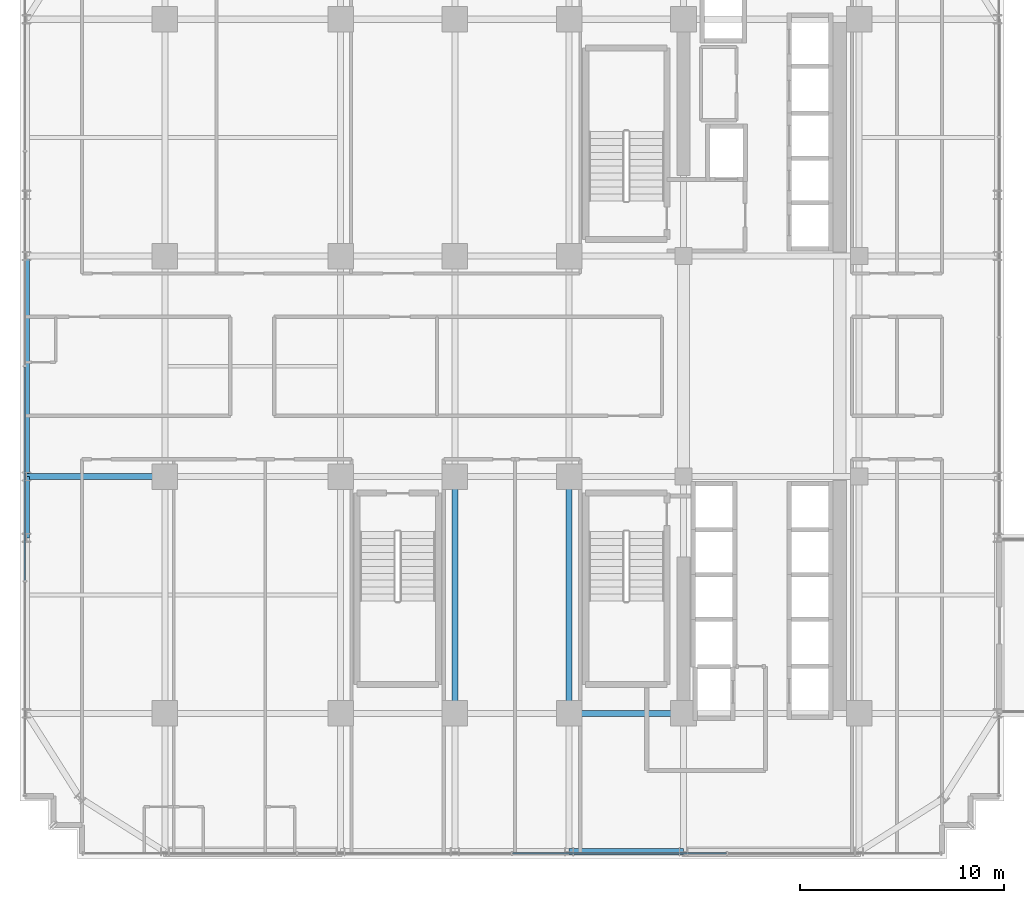
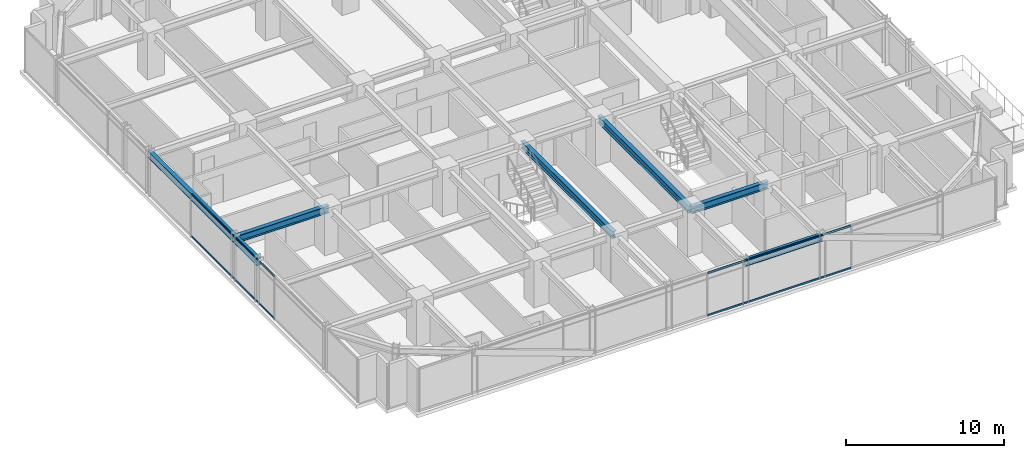
# One storey, part 7 of 41: 7 beams, 4 members, 2 elements without a shape of their own.
"""IFC4 building model written with IfcOpenShell, lengths in metres."""

from ifc_helpers import new_model, si_unit, direction, frame, origin, origin_2d, place, context, subcontext, project, spatial, hollow_rectangle, i_section, extrude, source, transform, mapped, material, material_profile, profile_set, type_object, element, aggregate, save


model = new_model("IFC4")

# Units and contexts
model_context = context("Model", 3, precision=1e-05, world=origin(), true_north=direction((0.0, 1.0)))
body_context = subcontext(model_context, "Body", "Model", "MODEL_VIEW")
ifc_project = project(units=[si_unit("LENGTHUNIT", "METRE"), si_unit("AREAUNIT", "SQUARE_METRE"), si_unit("VOLUMEUNIT", "CUBIC_METRE"), si_unit("PLANEANGLEUNIT", "RADIAN"), si_unit("MASSUNIT", "GRAM", prefix="KILO")], contexts=[model_context])

# Site, building, storey
site_placement = place(None, origin())
site = spatial("IfcSite", under=ifc_project, at=site_placement, CompositionType="ELEMENT")
building_placement = place(site_placement, origin())
building = spatial("IfcBuilding", under=site, at=building_placement, Name="Nahalor Promenade Grand Hotel", CompositionType="ELEMENT")
storey_placement = place(building_placement, frame((0.0, 0.0, 113.85009765625)))
storey = spatial("IfcBuildingStorey", under=building, at=storey_placement, Name="L28", CompositionType="ELEMENT", Elevation=113.85009765625)

# Beams
ifc_material_1 = material(Name="Steel S355JR", Category="steel")
ifc_material_profile_1 = material_profile(ifc_material_1, i_section(OverallWidth=0.3, OverallDepth=0.5, WebThickness=0.0145, FlangeThickness=0.028, at=origin_2d()), Name="HEB 500")
ifc_profile_set_1 = profile_set([ifc_material_profile_1], Name="Steel S355JR")
beam_type_1 = type_object("IfcBeamType", Name="Beam-Spandrel-HEB500", PredefinedType="SPANDREL", material=ifc_profile_set_1)
shared_shape_1 = source(origin(), body_context, "Body", "SweptSolid", [
    extrude(i_section(OverallWidth=0.3, OverallDepth=0.5, WebThickness=0.0145, FlangeThickness=0.028, at=origin_2d()), origin(), (0.0, 0.0, 1.0), 5.599853515625),
])
beam_1_placement = place(storey_placement, frame((2.800048828125, -23.780029296875, 3.1298828125), z_axis=(1.0, 0.0, 0.0), x_axis=(0.0, 1.0, 0.0)))
element("IfcBeam", 1, at=beam_1_placement, inside=storey, type_object=beam_type_1, Name="BM-L28-SP-S-3", PredefinedType="SPANDREL", context=body_context, shape_type="MappedRepresentation", body=[
    mapped(shared_shape_1, transform((0.0, 0.0, 0.0), scale=1.0)),
])
shared_shape_2 = source(origin(), body_context, "Body", "SweptSolid", [
    extrude(i_section(OverallWidth=0.3, OverallDepth=0.5, WebThickness=0.0145, FlangeThickness=0.028, at=origin_2d()), origin(), (0.0, 0.0, 1.0), 3.0),
])
beam_2_placement = place(storey_placement, frame((-23.780029296875, -8.39990234375, 3.1298828125), z_axis=(0.0, 1.0, 0.0), x_axis=(-1.0, 0.0, 0.0)))
element("IfcBeam", 2, at=beam_2_placement, inside=storey, type_object=beam_type_1, Name="BM-L28-SP-W-1", PredefinedType="SPANDREL", context=body_context, shape_type="MappedRepresentation", body=[
    mapped(shared_shape_2, transform((0.0, 0.0, 0.0), scale=1.0)),
])
shared_shape_3 = source(origin(), body_context, "Body", "SweptSolid", [
    extrude(i_section(OverallWidth=0.3, OverallDepth=0.5, WebThickness=0.0145, FlangeThickness=0.028, at=origin_2d()), origin(), (0.0, 0.0, 1.0), 10.7998046875),
])
beam_3_placement = place(storey_placement, frame((-23.780029296875, -5.39990234375, 3.1298828125), z_axis=(0.0, 1.0, 0.0), x_axis=(-1.0, 0.0, 0.0)))
element("IfcBeam", 3, at=beam_3_placement, inside=storey, type_object=beam_type_1, Name="BM-L28-SP-W-2", PredefinedType="SPANDREL", context=body_context, shape_type="MappedRepresentation", body=[
    mapped(shared_shape_3, transform((0.0, 0.0, 0.0), scale=1.0)),
])
ifc_material_profile_2 = material_profile(ifc_material_1, i_section(OverallWidth=0.3, OverallDepth=0.55, WebThickness=0.015, FlangeThickness=0.029, at=origin_2d()), Name="HEB 550")
ifc_profile_set_2 = profile_set([ifc_material_profile_2], Name="Steel S355JR")
beam_type_2 = type_object("IfcBeamType", Name="Beam-Girder-HEB550", PredefinedType="BEAM", material=ifc_profile_set_2)
shared_shape_4 = source(origin(), body_context, "Body", "SweptSolid", [
    extrude(i_section(OverallWidth=0.3, OverallDepth=0.55, WebThickness=0.015, FlangeThickness=0.029, at=origin_2d()), origin(), (0.0, 0.0, 1.0), 6.780029296875),
])
beam_4_placement = place(storey_placement, frame((-23.780029296875, -5.39990234375, 3.10498046875), z_axis=(1.0, 0.0, 0.0), x_axis=(0.0, 1.0, 0.0)))
element("IfcBeam", 4, at=beam_4_placement, inside=storey, type_object=beam_type_2, Name="BM-L28-GX-1-0", PredefinedType="BEAM", context=body_context, shape_type="MappedRepresentation", body=[
    mapped(shared_shape_4, transform((0.0, 0.0, 0.0), scale=1.0)),
])
shared_shape_5 = source(origin(), body_context, "Body", "SweptSolid", [
    extrude(i_section(OverallWidth=0.3, OverallDepth=0.55, WebThickness=0.015, FlangeThickness=0.029, at=origin_2d()), origin(), (0.0, 0.0, 1.0), 5.599853515625),
])
beam_5_placement = place(storey_placement, frame((2.800048828125, -17.0, 3.10498046875), z_axis=(1.0, 0.0, 0.0), x_axis=(0.0, 1.0, 0.0)))
element("IfcBeam", 5, at=beam_5_placement, inside=storey, type_object=beam_type_2, Name="BM-L28-GX-0-4", PredefinedType="BEAM", context=body_context, shape_type="MappedRepresentation", body=[
    mapped(shared_shape_5, transform((0.0, 0.0, 0.0), scale=1.0)),
])
shared_shape_6 = source(origin(), body_context, "Body", "SweptSolid", [
    extrude(i_section(OverallWidth=0.3, OverallDepth=0.55, WebThickness=0.015, FlangeThickness=0.029, at=origin_2d()), origin(), (0.0, 0.0, 1.0), 11.60009765625),
])
for number, where, z_axis, x_axis, name in (
    (6, (-2.800048828125, -17.0, 3.10498046875), (0.0, 1.0, 0.0), (-1.0, 0.0, 0.0), "BM-L28-GY-2-1"),
    (7, (2.800048828125, -17.0, 3.10498046875), (0.0, 1.0, 0.0), (-1.0, 0.0, 0.0), "BM-L28-GY-3-1"),
):
    element("IfcBeam", number, at=place(storey_placement, frame(where, z_axis=z_axis, x_axis=x_axis)), inside=storey, type_object=beam_type_2, Name=name, PredefinedType="BEAM", context=body_context, shape_type="MappedRepresentation", body=[
        mapped(shared_shape_6, transform((0.0, 0.0, 0.0), scale=1.0)),
    ])

# Curtain wall, members
ifc_material_2 = material(Name="Anodised Bronze Aluminium EN AW-6063 T6", Category="aluminium")
curtain_wall_type = type_object("IfcCurtainWallType", Name="CW2 Typical Hotel Flush Bronze Unitised Curtain Wall", PredefinedType="USERDEFINED", material=ifc_material_2)
curtain_wall_1_placement = place(storey_placement, origin())
curtain_wall_1 = element("IfcCurtainWall", 8, at=curtain_wall_1_placement, inside=storey, type_object=curtain_wall_type, Name="L28 Curtain Wall CW-L28-S-1", ObjectType="UNITISED_CURTAIN_WALL", PredefinedType="USERDEFINED")
ifc_material_profile_3 = material_profile(ifc_material_2, hollow_rectangle(XDim=0.065, YDim=0.13, WallThickness=0.004, at=origin_2d()), Name="CWT 65x130x4")
ifc_profile_set_3 = profile_set([ifc_material_profile_3], Name="Anodised Bronze Aluminium EN AW-6063 T6")
member_type = type_object("IfcMemberType", Name="CWT2 Typical Bronze Transom 65x130", PredefinedType="USERDEFINED", material=ifc_profile_set_3)
shared_shape_7 = source(origin(), body_context, "Body", "SweptSolid", [
    extrude(hollow_rectangle(XDim=0.065, YDim=0.13, WallThickness=0.004, at=origin_2d()), origin(), (0.0, 0.0, 1.0), 10.465087890625),
])
member_1_placement = place(storey_placement, frame((0.032470703125, -23.860107421875, 0.06494140625), z_axis=(1.0, 0.0, 0.0), x_axis=(0.0, 1.0, 0.0)))
member_1 = element("IfcMember", 9, at=member_1_placement, type_object=member_type, Name="CW-L28-S-1 Transom 2-0", ObjectType="TRANSOM", PredefinedType="USERDEFINED", context=body_context, shape_type="MappedRepresentation", body=[
    mapped(shared_shape_7, transform((0.0, 0.0, 0.0), scale=1.0)),
])
member_2_placement = place(storey_placement, frame((0.032470703125, -23.860107421875, 3.31494140625), z_axis=(1.0, 0.0, 0.0), x_axis=(0.0, 1.0, 0.0)))
member_2 = element("IfcMember", 10, at=member_2_placement, type_object=member_type, Name="CW-L28-S-1 Transom 2-1", ObjectType="TRANSOM", PredefinedType="USERDEFINED", context=body_context, shape_type="MappedRepresentation", body=[
    mapped(shared_shape_7, transform((0.0, 0.0, 0.0), scale=1.0)),
])
aggregate(curtain_wall_1, [member_1, member_2])

curtain_wall_2_placement = place(storey_placement, origin())
curtain_wall_2 = element("IfcCurtainWall", 11, at=curtain_wall_2_placement, inside=storey, type_object=curtain_wall_type, Name="L28 Curtain Wall CW-L28-W-1", ObjectType="UNITISED_CURTAIN_WALL", PredefinedType="USERDEFINED")
member_3_placement = place(storey_placement, frame((-23.860107421875, -10.49755859375, 0.06494140625), z_axis=(0.0, 1.0, 0.0), x_axis=(-1.0, 0.0, 0.0)))
member_3 = element("IfcMember", 12, at=member_3_placement, type_object=member_type, Name="CW-L28-W-1 Transom 1-0", ObjectType="TRANSOM", PredefinedType="USERDEFINED", context=body_context, shape_type="MappedRepresentation", body=[
    mapped(shared_shape_7, transform((0.0, 0.0, 0.0), scale=1.0)),
])
member_4_placement = place(storey_placement, frame((-23.860107421875, -10.49755859375, 3.31494140625), z_axis=(0.0, 1.0, 0.0), x_axis=(-1.0, 0.0, 0.0)))
member_4 = element("IfcMember", 13, at=member_4_placement, type_object=member_type, Name="CW-L28-W-1 Transom 1-1", ObjectType="TRANSOM", PredefinedType="USERDEFINED", context=body_context, shape_type="MappedRepresentation", body=[
    mapped(shared_shape_7, transform((0.0, 0.0, 0.0), scale=1.0)),
])
aggregate(curtain_wall_2, [member_3, member_4])

save(model, "model.ifc")
